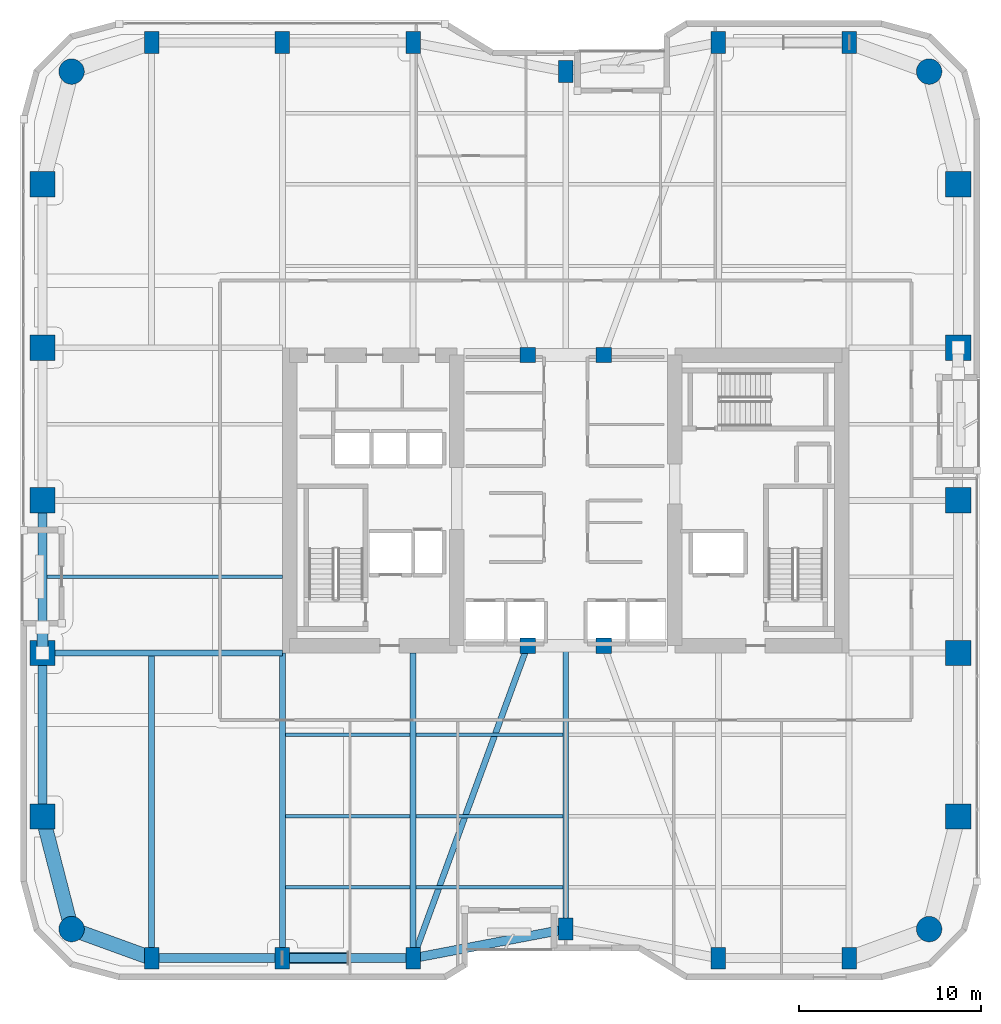
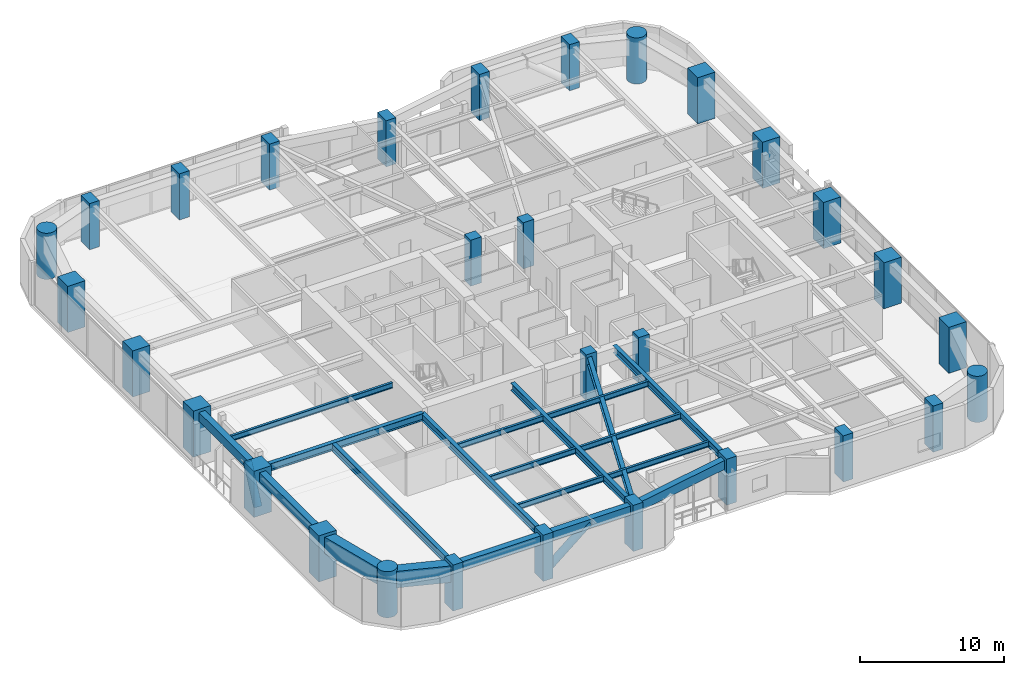
# One storey, part 1 of 24: 30 columns, 20 beams, 2 members.
"""IFC4 building model written with IfcOpenShell, lengths in metres."""

from ifc_helpers import new_model, si_unit, direction, frame, origin, origin_2d, place, context, subcontext, project, spatial, rectangle, circle, hollow_circle, i_section, extrude, material, material_profile, profile_set, type_object, element, save


model = new_model("IFC4")

# Units and contexts
model_context = context("Model", 3, precision=1e-05, world=origin(), true_north=direction((0.0, 1.0)))
body_context = subcontext(model_context, "Body", "Model", "MODEL_VIEW")
ifc_project = project(units=[si_unit("LENGTHUNIT", "METRE"), si_unit("AREAUNIT", "SQUARE_METRE"), si_unit("VOLUMEUNIT", "CUBIC_METRE"), si_unit("PLANEANGLEUNIT", "RADIAN"), si_unit("MASSUNIT", "GRAM", prefix="KILO")], contexts=[model_context])

# Site, building, storey
site_placement = place(None, origin())
site = spatial("IfcSite", under=ifc_project, at=site_placement, CompositionType="ELEMENT")
building_placement = place(site_placement, origin())
building = spatial("IfcBuilding", under=site, at=building_placement, Name="Kiyonajd Concourse Tower", CompositionType="ELEMENT")
storey_placement = place(building_placement, frame((0.0, 0.0, 101.39990234375)))
storey = spatial("IfcBuildingStorey", under=building, at=storey_placement, Name="L26", CompositionType="ELEMENT", Elevation=101.39990234375)

# Columns
ifc_material_1 = material(Name="Concrete C70/85", Category="concrete")
ifc_material_profile_1 = material_profile(ifc_material_1, rectangle(XDim=0.800048828125, YDim=1.199951171875, at=origin_2d()), Name="RC-1200x800")
ifc_profile_set_1 = profile_set([ifc_material_profile_1], Name="Concrete C70/85")
column_type_1 = type_object("IfcColumnType", Name="CL-BLADE-1200", PredefinedType="COLUMN", material=ifc_profile_set_1)
for number, where, z_axis, x_axis, name in (
    (1, (25.199951171875, 10.800048828125, 0.0), (0.0, 0.0, 1.0), (1.0, 0.0, 0.0), "L26 Perimeter Bundled Tube Column"),
    (2, (25.199951171875, 61.199951171875, 0.0), (0.0, 0.0, 1.0), (1.0, 0.0, 0.0), "L26 Perimeter Bundled Tube Column"),
    (3, (32.39990234375, 10.800048828125, 0.0), (0.0, 0.0, 1.0), (1.0, 0.0, 0.0), "L26 Perimeter Bundled Tube Column"),
    (4, (32.39990234375, 61.199951171875, 0.0), (0.0, 0.0, 1.0), (1.0, 0.0, 0.0), "L26 Perimeter Bundled Tube Column"),
    (5, (39.60009765625, 10.800048828125, 0.0), (0.0, 0.0, 1.0), (1.0, 0.0, 0.0), "L26 Perimeter Bundled Tube Column"),
    (6, (39.60009765625, 61.199951171875, 0.0), (0.0, 0.0, 1.0), (1.0, 0.0, 0.0), "L26 Perimeter Bundled Tube Column"),
    (7, (48.0, 12.39990234375, 0.0), (0.0, 0.0, 1.0), (1.0, 0.0, 0.0), "L26 Perimeter Bundled Tube Column"),
    (8, (48.0, 59.60009765625, 0.0), (0.0, 0.0, 1.0), (1.0, 0.0, 0.0), "L26 Perimeter Bundled Tube Column"),
    (9, (56.39990234375, 10.800048828125, 0.0), (0.0, 0.0, 1.0), (1.0, 0.0, 0.0), "L26 Perimeter Bundled Tube Column"),
    (10, (56.39990234375, 61.199951171875, 0.0), (0.0, 0.0, 1.0), (1.0, 0.0, 0.0), "L26 Perimeter Bundled Tube Column"),
    (11, (63.60009765625, 10.800048828125, 0.0), (0.0, 0.0, 1.0), (1.0, 0.0, 0.0), "L26 Perimeter Bundled Tube Column"),
    (12, (63.60009765625, 61.199951171875, 0.0), (0.0, 0.0, 1.0), (1.0, 0.0, 0.0), "L26 Perimeter Bundled Tube Column"),
):
    element("IfcColumn", number, at=place(storey_placement, frame(where, z_axis=z_axis, x_axis=x_axis)), inside=storey, type_object=column_type_1, Name=name, PredefinedType="COLUMN", context=body_context, shape_type="SweptSolid", body=[
        extrude(rectangle(XDim=0.800048828125, YDim=1.199951171875, at=origin_2d()), origin(), (0.0, 0.0, 1.0), 3.900146484375),
    ])
ifc_material_2 = material(Name="Concrete C80/95", Category="concrete")
ifc_material_profile_2 = material_profile(ifc_material_2, circle(Radius=0.699951171875, at=origin_2d()), Name="RCC-D1400")
ifc_profile_set_2 = profile_set([ifc_material_profile_2], Name="Concrete C80/95")
column_type_2 = type_object("IfcColumnType", Name="CL-RND-1400", PredefinedType="COLUMN", material=ifc_profile_set_2)
for number, where, z_axis, x_axis, name in (
    (13, (20.800048828125, 12.39990234375, 0.0), (0.0, 0.0, 1.0), (1.0, 0.0, 0.0), "L26 Bundled Tube Corner Column South West"),
    (14, (68.0, 12.39990234375, 0.0), (0.0, 0.0, 1.0), (1.0, 0.0, 0.0), "L26 Bundled Tube Corner Column South East"),
    (15, (68.0, 59.60009765625, 0.0), (0.0, 0.0, 1.0), (1.0, 0.0, 0.0), "L26 Bundled Tube Corner Column North East"),
    (16, (20.800048828125, 59.60009765625, 0.0), (0.0, 0.0, 1.0), (1.0, 0.0, 0.0), "L26 Bundled Tube Corner Column North West"),
):
    element("IfcColumn", number, at=place(storey_placement, frame(where, z_axis=z_axis, x_axis=x_axis)), inside=storey, type_object=column_type_2, Name=name, PredefinedType="COLUMN", context=body_context, shape_type="SweptSolid", body=[
        extrude(circle(Radius=0.699951171875, at=origin_2d()), origin(), (0.0, 0.0, 1.0), 3.900146484375),
    ])
ifc_material_profile_3 = material_profile(ifc_material_1, rectangle(XDim=1.39990234375, YDim=1.39990234375, at=origin_2d()), Name="RC-1400x1400")
ifc_profile_set_3 = profile_set([ifc_material_profile_3], Name="Concrete C70/85")
column_type_3 = type_object("IfcColumnType", Name="CL-TUBE-1400", PredefinedType="COLUMN", material=ifc_profile_set_3)
for number, where, z_axis, x_axis, name in (
    (17, (19.199951171875, 18.60009765625, 0.0), (0.0, 0.0, 1.0), (1.0, 0.0, 0.0), "L26 Perimeter Bundled Tube Column"),
    (18, (69.60009765625, 18.60009765625, 0.0), (0.0, 0.0, 1.0), (1.0, 0.0, 0.0), "L26 Perimeter Bundled Tube Column"),
    (19, (19.199951171875, 27.60009765625, 0.0), (0.0, 0.0, 1.0), (1.0, 0.0, 0.0), "L26 Perimeter Bundled Tube Column"),
    (20, (69.60009765625, 27.60009765625, 0.0), (0.0, 0.0, 1.0), (1.0, 0.0, 0.0), "L26 Perimeter Bundled Tube Column"),
    (21, (19.199951171875, 36.0, 0.0), (0.0, 0.0, 1.0), (1.0, 0.0, 0.0), "L26 Perimeter Bundled Tube Column"),
    (22, (69.60009765625, 36.0, 0.0), (0.0, 0.0, 1.0), (1.0, 0.0, 0.0), "L26 Perimeter Bundled Tube Column"),
    (23, (19.199951171875, 44.39990234375, 0.0), (0.0, 0.0, 1.0), (1.0, 0.0, 0.0), "L26 Perimeter Bundled Tube Column"),
    (24, (69.60009765625, 44.39990234375, 0.0), (0.0, 0.0, 1.0), (1.0, 0.0, 0.0), "L26 Perimeter Bundled Tube Column"),
    (25, (19.199951171875, 53.39990234375, 0.0), (0.0, 0.0, 1.0), (1.0, 0.0, 0.0), "L26 Perimeter Bundled Tube Column"),
    (26, (69.60009765625, 53.39990234375, 0.0), (0.0, 0.0, 1.0), (1.0, 0.0, 0.0), "L26 Perimeter Bundled Tube Column"),
):
    element("IfcColumn", number, at=place(storey_placement, frame(where, z_axis=z_axis, x_axis=x_axis)), inside=storey, type_object=column_type_3, Name=name, PredefinedType="COLUMN", context=body_context, shape_type="SweptSolid", body=[
        extrude(rectangle(XDim=1.39990234375, YDim=1.39990234375, at=origin_2d()), origin(), (0.0, 0.0, 1.0), 3.900146484375),
    ])
ifc_material_3 = material(Name="Concrete C60/75", Category="concrete")
ifc_material_profile_4 = material_profile(ifc_material_3, rectangle(XDim=0.85009765625, YDim=0.85009765625, at=origin_2d()), Name="RC-850x850")
ifc_profile_set_4 = profile_set([ifc_material_profile_4], Name="Concrete C60/75")
column_type_4 = type_object("IfcColumnType", Name="CL-TUBE-850", PredefinedType="COLUMN", material=ifc_profile_set_4)
for number, where, z_axis, x_axis, name in (
    (27, (45.89990234375, 28.0, 0.0), (0.0, 0.0, 1.0), (1.0, 0.0, 0.0), "L26 Core Tie Column South West"),
    (28, (50.10009765625, 28.0, 0.0), (0.0, 0.0, 1.0), (1.0, 0.0, 0.0), "L26 Core Tie Column South East"),
    (29, (45.89990234375, 44.0, 0.0), (0.0, 0.0, 1.0), (1.0, 0.0, 0.0), "L26 Core Tie Column North West"),
    (30, (50.10009765625, 44.0, 0.0), (0.0, 0.0, 1.0), (1.0, 0.0, 0.0), "L26 Core Tie Column North East"),
):
    element("IfcColumn", number, at=place(storey_placement, frame(where, z_axis=z_axis, x_axis=x_axis)), inside=storey, type_object=column_type_4, Name=name, PredefinedType="COLUMN", context=body_context, shape_type="SweptSolid", body=[
        extrude(rectangle(XDim=0.85009765625, YDim=0.85009765625, at=origin_2d()), origin(), (0.0, 0.0, 1.0), 3.900146484375),
    ])

# Beams
ifc_material_4 = material(Name="Steel ASTM A992 Grade 50", Category="steel")
ifc_material_profile_5 = material_profile(ifc_material_4, i_section(OverallWidth=0.19189453125, OverallDepth=0.462890625, WebThickness=0.010498046875, FlangeThickness=0.017578125, at=origin_2d()), Name="W460X89")
ifc_profile_set_5 = profile_set([ifc_material_profile_5], Name="Steel ASTM A992 Grade 50")
beam_type_1 = type_object("IfcBeamType", Name="BM-JST-460B", PredefinedType="JOIST", material=ifc_profile_set_5)
beam_1_placement = place(storey_placement, frame((32.5634765625, 14.699951171875, 3.40869140625), z_axis=(1.0, 0.0, 0.0), x_axis=(0.0, 1.0, 0.0)))
element("IfcBeam", 31, at=beam_1_placement, inside=storey, type_object=beam_type_1, Name="L26 Secondary Floor Joist", PredefinedType="JOIST", context=body_context, shape_type="SweptSolid", body=[
    extrude(i_section(OverallWidth=0.19189453125, OverallDepth=0.462890625, WebThickness=0.010498046875, FlangeThickness=0.017578125, at=origin_2d()), origin(), (0.0, 0.0, 1.0), 6.873046875),
])
beam_2_placement = place(storey_placement, frame((39.763427734375, 14.699951171875, 3.40869140625), z_axis=(1.0, 0.0, 0.0), x_axis=(0.0, 1.0, 0.0)))
element("IfcBeam", 32, at=beam_2_placement, inside=storey, type_object=beam_type_1, Name="L26 Secondary Floor Joist", PredefinedType="JOIST", context=body_context, shape_type="SweptSolid", body=[
    extrude(i_section(OverallWidth=0.19189453125, OverallDepth=0.462890625, WebThickness=0.010498046875, FlangeThickness=0.017578125, at=origin_2d()), origin(), (0.0, 0.0, 1.0), 8.072998046875),
])
beam_3_placement = place(storey_placement, frame((32.5634765625, 18.60009765625, 3.40869140625), z_axis=(1.0, 0.0, 0.0), x_axis=(0.0, 1.0, 0.0)))
element("IfcBeam", 33, at=beam_3_placement, inside=storey, type_object=beam_type_1, Name="L26 Secondary Floor Joist", PredefinedType="JOIST", context=body_context, shape_type="SweptSolid", body=[
    extrude(i_section(OverallWidth=0.19189453125, OverallDepth=0.462890625, WebThickness=0.010498046875, FlangeThickness=0.017578125, at=origin_2d()), origin(), (0.0, 0.0, 1.0), 6.873046875),
])
beam_4_placement = place(storey_placement, frame((39.763427734375, 18.60009765625, 3.40869140625), z_axis=(1.0, 0.0, 0.0), x_axis=(0.0, 1.0, 0.0)))
element("IfcBeam", 34, at=beam_4_placement, inside=storey, type_object=beam_type_1, Name="L26 Secondary Floor Joist", PredefinedType="JOIST", context=body_context, shape_type="SweptSolid", body=[
    extrude(i_section(OverallWidth=0.19189453125, OverallDepth=0.462890625, WebThickness=0.010498046875, FlangeThickness=0.017578125, at=origin_2d()), origin(), (0.0, 0.0, 1.0), 8.072998046875),
])
beam_5_placement = place(storey_placement, frame((32.5634765625, 23.10009765625, 3.40869140625), z_axis=(1.0, 0.0, 0.0), x_axis=(0.0, 1.0, 0.0)))
element("IfcBeam", 35, at=beam_5_placement, inside=storey, type_object=beam_type_1, Name="L26 Secondary Floor Joist", PredefinedType="JOIST", context=body_context, shape_type="SweptSolid", body=[
    extrude(i_section(OverallWidth=0.19189453125, OverallDepth=0.462890625, WebThickness=0.010498046875, FlangeThickness=0.017578125, at=origin_2d()), origin(), (0.0, 0.0, 1.0), 6.873046875),
])
beam_6_placement = place(storey_placement, frame((39.763427734375, 23.10009765625, 3.40869140625), z_axis=(1.0, 0.0, 0.0), x_axis=(0.0, 1.0, 0.0)))
element("IfcBeam", 36, at=beam_6_placement, inside=storey, type_object=beam_type_1, Name="L26 Secondary Floor Joist", PredefinedType="JOIST", context=body_context, shape_type="SweptSolid", body=[
    extrude(i_section(OverallWidth=0.19189453125, OverallDepth=0.462890625, WebThickness=0.010498046875, FlangeThickness=0.017578125, at=origin_2d()), origin(), (0.0, 0.0, 1.0), 8.072998046875),
])
beam_7_placement = place(storey_placement, frame((19.449951171875, 31.800048828125, 3.40869140625), z_axis=(1.0, 0.0, 0.0), x_axis=(0.0, 1.0, 0.0)))
element("IfcBeam", 37, at=beam_7_placement, inside=storey, type_object=beam_type_1, Name="L26 West Secondary Floor Joist", PredefinedType="JOIST", context=body_context, shape_type="SweptSolid", body=[
    extrude(i_section(OverallWidth=0.19189453125, OverallDepth=0.462890625, WebThickness=0.010498046875, FlangeThickness=0.017578125, at=origin_2d()), origin(), (0.0, 0.0, 1.0), 12.949951171875),
])
ifc_material_5 = material(Name="Precast concrete C50/60", Category="concrete")
ifc_material_profile_6 = material_profile(ifc_material_5, rectangle(XDim=0.5, YDim=0.75, at=origin_2d()), Name="RCBM-500x750")
ifc_profile_set_6 = profile_set([ifc_material_profile_6], Name="Precast concrete C50/60")
beam_type_2 = type_object("IfcBeamType", Name="BM-SPAN-RC", PredefinedType="SPANDREL", material=ifc_profile_set_6)
beam_8_placement = place(storey_placement, frame((19.199951171875, 27.60009765625, 3.26513671875), z_axis=(0.0, -1.0, 0.0), x_axis=(1.0, 0.0, 0.0)))
element("IfcBeam", 38, at=beam_8_placement, inside=storey, type_object=beam_type_2, Name="L26 Perimeter Bundled Tube Spandrel", PredefinedType="SPANDREL", context=body_context, shape_type="SweptSolid", body=[
    extrude(rectangle(XDim=0.5, YDim=0.75, at=origin_2d()), origin(), (0.0, 0.0, 1.0), 9.0),
])
beam_9_placement = place(storey_placement, frame((25.199951171875, 10.800048828125, 3.26513671875), z_axis=(1.0, 0.0, 0.0), x_axis=(0.0, 1.0, 0.0)))
element("IfcBeam", 39, at=beam_9_placement, inside=storey, type_object=beam_type_2, Name="L26 Perimeter Bundled Tube Spandrel", PredefinedType="SPANDREL", context=body_context, shape_type="SweptSolid", body=[
    extrude(rectangle(XDim=0.5, YDim=0.75, at=origin_2d()), origin(), (0.0, 0.0, 1.0), 7.199951171875),
])
beam_10_placement = place(storey_placement, frame((32.39990234375, 10.800048828125, 3.26513671875), z_axis=(1.0, 0.0, 0.0), x_axis=(0.0, 1.0, 0.0)))
element("IfcBeam", 40, at=beam_10_placement, inside=storey, type_object=beam_type_2, Name="L26 Perimeter Bundled Tube Spandrel", PredefinedType="SPANDREL", context=body_context, shape_type="SweptSolid", body=[
    extrude(rectangle(XDim=0.5, YDim=0.75, at=origin_2d()), origin(), (0.0, 0.0, 1.0), 7.2001953125),
])
beam_11_placement = place(storey_placement, frame((39.60009765625, 10.800048828125, 3.26513671875), z_axis=(0.982341315253, 0.187097675953, 0.0), x_axis=(-0.187097675953, 0.982341315253, 0.0)))
element("IfcBeam", 41, at=beam_11_placement, inside=storey, type_object=beam_type_2, Name="L26 Perimeter Bundled Tube Spandrel", PredefinedType="SPANDREL", context=body_context, shape_type="SweptSolid", body=[
    extrude(rectangle(XDim=0.5, YDim=0.75, at=origin_2d()), origin(), (0.0, 0.0, 1.0), 8.55078125),
])
beam_12_placement = place(storey_placement, frame((19.199951171875, 36.0, 3.26513671875), z_axis=(0.0, -1.0, 0.0), x_axis=(1.0, 0.0, 0.0)))
element("IfcBeam", 42, at=beam_12_placement, inside=storey, type_object=beam_type_2, Name="L26 Perimeter Bundled Tube Spandrel", PredefinedType="SPANDREL", context=body_context, shape_type="SweptSolid", body=[
    extrude(rectangle(XDim=0.5, YDim=0.75, at=origin_2d()), origin(), (0.0, 0.0, 1.0), 8.39990234375),
])
ifc_material_profile_7 = material_profile(ifc_material_4, i_section(OverallWidth=0.326904296875, OverallDepth=0.6220703125, WebThickness=0.015380859375, FlangeThickness=0.0244140625, at=origin_2d()), Name="W610X195")
ifc_profile_set_7 = profile_set([ifc_material_profile_7], Name="Steel ASTM A992 Grade 50")
beam_type_3 = type_object("IfcBeamType", Name="BM-TWR-610A", PredefinedType="BEAM", material=ifc_profile_set_7)
beam_13_placement = place(storey_placement, frame((39.60009765625, 10.800048828125, 3.3291015625), z_axis=(0.343925269715, 0.938997022813, 0.0), x_axis=(-0.938997022813, 0.343925269715, 0.0)))
element("IfcBeam", 43, at=beam_13_placement, inside=storey, type_object=beam_type_3, Name="L26 Core Tie Girder", PredefinedType="BEAM", context=body_context, shape_type="SweptSolid", body=[
    extrude(i_section(OverallWidth=0.326904296875, OverallDepth=0.6220703125, WebThickness=0.015380859375, FlangeThickness=0.0244140625, at=origin_2d()), origin(), (0.0, 0.0, 1.0), 18.3173828125),
])
for number, where, z_axis, x_axis, name in (
    (44, (25.199951171875, 10.800048828125, 3.3291015625), (0.0, 1.0, 0.0), (-1.0, 0.0, 0.0), "L26 South Lease Girder"),
    (45, (32.39990234375, 10.800048828125, 3.3291015625), (0.0, 1.0, 0.0), (-1.0, 0.0, 0.0), "L26 South Lease Girder"),
    (46, (39.60009765625, 10.800048828125, 3.3291015625), (0.0, 1.0, 0.0), (-1.0, 0.0, 0.0), "L26 South Lease Girder"),
):
    element("IfcBeam", number, at=place(storey_placement, frame(where, z_axis=z_axis, x_axis=x_axis)), inside=storey, type_object=beam_type_3, Name=name, PredefinedType="BEAM", context=body_context, shape_type="SweptSolid", body=[
        extrude(i_section(OverallWidth=0.326904296875, OverallDepth=0.6220703125, WebThickness=0.015380859375, FlangeThickness=0.0244140625, at=origin_2d()), origin(), (0.0, 0.0, 1.0), 16.800048828125),
    ])
beam_14_placement = place(storey_placement, frame((48.0, 12.39990234375, 3.3291015625), z_axis=(0.0, 1.0, 0.0), x_axis=(-1.0, 0.0, 0.0)))
element("IfcBeam", 47, at=beam_14_placement, inside=storey, type_object=beam_type_3, Name="L26 South Ribbon Girder", PredefinedType="BEAM", context=body_context, shape_type="SweptSolid", body=[
    extrude(i_section(OverallWidth=0.326904296875, OverallDepth=0.6220703125, WebThickness=0.015380859375, FlangeThickness=0.0244140625, at=origin_2d()), origin(), (0.0, 0.0, 1.0), 15.60009765625),
])
beam_15_placement = place(storey_placement, frame((19.199951171875, 27.60009765625, 3.3291015625), z_axis=(1.0, 0.0, 0.0), x_axis=(0.0, 1.0, 0.0)))
element("IfcBeam", 48, at=beam_15_placement, inside=storey, type_object=beam_type_3, Name="L26 West Lease Girder", PredefinedType="BEAM", context=body_context, shape_type="SweptSolid", body=[
    extrude(i_section(OverallWidth=0.326904296875, OverallDepth=0.6220703125, WebThickness=0.015380859375, FlangeThickness=0.0244140625, at=origin_2d()), origin(), (0.0, 0.0, 1.0), 13.199951171875),
])
ifc_material_profile_8 = material_profile(ifc_material_3, rectangle(XDim=0.800048828125, YDim=1.39990234375, at=origin_2d()), Name="RCBM-800x1400")
ifc_profile_set_8 = profile_set([ifc_material_profile_8], Name="Concrete C60/75")
beam_type_4 = type_object("IfcBeamType", Name="BM-XFER-RC", PredefinedType="BEAM", material=ifc_profile_set_8)
beam_16_placement = place(storey_placement, frame((19.199951171875, 18.60009765625, 2.940185546875), z_axis=(0.249884937687, -0.968275538221, 0.0), x_axis=(0.968275538221, 0.249884937687, 0.0)))
element("IfcBeam", 49, at=beam_16_placement, inside=storey, type_object=beam_type_4, Name="L26 Perimeter Bundled Tube Spandrel", PredefinedType="BEAM", context=body_context, shape_type="SweptSolid", body=[
    extrude(rectangle(XDim=0.800048828125, YDim=1.39990234375, at=origin_2d()), origin(), (0.0, 0.0, 1.0), 6.4033203125),
])
beam_17_placement = place(storey_placement, frame((20.800048828125, 12.39990234375, 2.940185546875), z_axis=(0.939801036019, -0.341722127901, 0.0), x_axis=(0.341722127901, 0.939801036019, 0.0)))
element("IfcBeam", 50, at=beam_17_placement, inside=storey, type_object=beam_type_4, Name="L26 Perimeter Bundled Tube Spandrel", PredefinedType="BEAM", context=body_context, shape_type="SweptSolid", body=[
    extrude(rectangle(XDim=0.800048828125, YDim=1.39990234375, at=origin_2d()), origin(), (0.0, 0.0, 1.0), 4.681640625),
])

# Members
ifc_material_6 = material(Name="Steel ASTM A572 Grade 50", Category="steel")
ifc_material_profile_9 = material_profile(ifc_material_6, hollow_circle(Radius=0.304931640625, WallThickness=0.02490234375, at=origin_2d()), Name="CHS-610x25")
ifc_profile_set_9 = profile_set([ifc_material_profile_9], Name="Steel ASTM A572 Grade 50")
member_type = type_object("IfcMemberType", Name="MB-PB-LOW", PredefinedType="BRACE", material=ifc_profile_set_9)
member_1_placement = place(storey_placement, frame((32.39990234375, 10.800048828125, 0.300048828125), z_axis=(0.769280705518, 0.0, 0.638910945373), x_axis=(0.0, 1.0, 0.0)))
element("IfcMember", 51, at=member_1_placement, inside=storey, type_object=member_type, Name="L26 Lower Zone Welded Tube Brace PBS", PredefinedType="BRACE", context=body_context, shape_type="SweptSolid", body=[
    extrude(hollow_circle(Radius=0.304931640625, WallThickness=0.02490234375, at=origin_2d()), origin(), (0.0, 0.0, 1.0), 4.679931640625),
])
member_2_placement = place(storey_placement, frame((19.199951171875, 27.60009765625, 0.300048828125), z_axis=(0.0, 0.424022702926, 0.905651559598), x_axis=(-1.0, 0.0, 0.0)))
element("IfcMember", 52, at=member_2_placement, inside=storey, type_object=member_type, Name="L26 Lower Zone Welded Tube Brace PBW", PredefinedType="BRACE", context=body_context, shape_type="SweptSolid", body=[
    extrude(hollow_circle(Radius=0.304931640625, WallThickness=0.02490234375, at=origin_2d()), origin(), (0.0, 0.0, 1.0), 3.301513671875),
])

save(model, "model.ifc")
